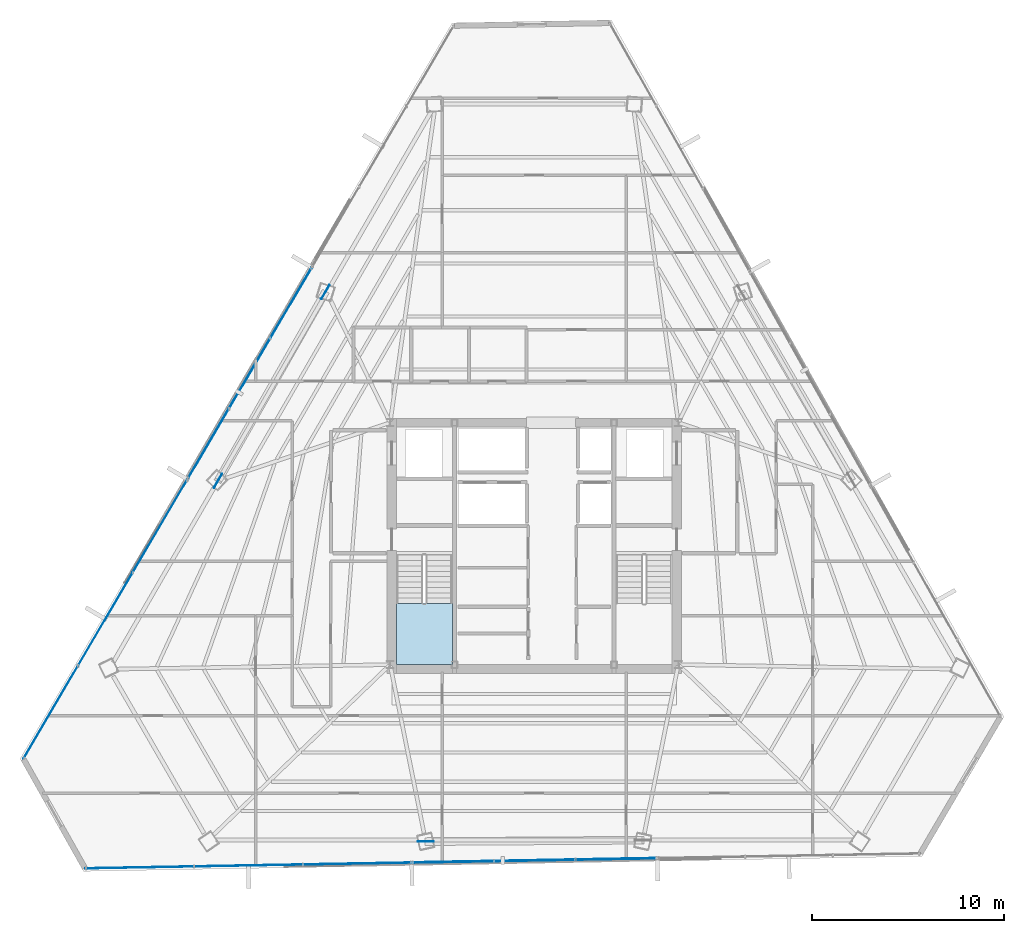
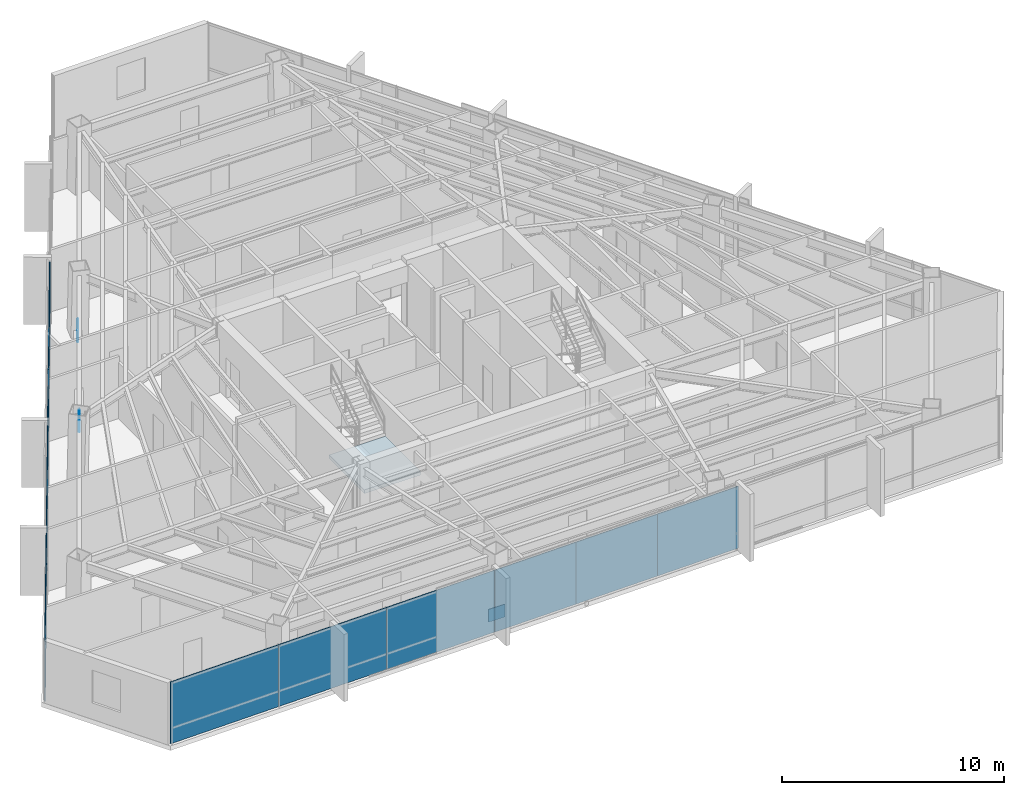
# One storey, part 34 of 44: 15 plates, 1 slab, 5 elements without a shape of their own.
"""IFC4 building model written with IfcOpenShell, lengths in metres."""

from ifc_helpers import new_model, si_unit, direction, frame, origin, origin_2d, place, context, subcontext, project, spatial, polyline, rectangle, outline, extrude, source, transform, mapped, material, layer, layer_set, type_object, type_shapes, element, aggregate, save


model = new_model("IFC4")

# Units and contexts
model_context = context("Model", 3, precision=1e-05, world=origin(), true_north=direction((0.0, 1.0)))
body_context = subcontext(model_context, "Body", "Model", "MODEL_VIEW")
ifc_project = project(units=[si_unit("LENGTHUNIT", "METRE"), si_unit("AREAUNIT", "SQUARE_METRE"), si_unit("VOLUMEUNIT", "CUBIC_METRE"), si_unit("PLANEANGLEUNIT", "RADIAN"), si_unit("MASSUNIT", "GRAM", prefix="KILO")], contexts=[model_context])

# Site, building, storey
site_placement = place(None, origin())
site = spatial("IfcSite", under=ifc_project, at=site_placement, CompositionType="ELEMENT")
building_placement = place(site_placement, origin())
building = spatial("IfcBuilding", under=site, at=building_placement, Name="Caelisora Broadcast Tower", CompositionType="ELEMENT")
storey_placement = place(building_placement, frame((0.0, 0.0, 198.64990234375)))
storey = spatial("IfcBuildingStorey", under=building, at=storey_placement, Name="L52", CompositionType="ELEMENT", Elevation=198.64990234375)

# Stair, slab
ifc_material_1 = material(Name="Concrete 40 MPa (AS 3600 N40)", Category="concrete")
stair_type = type_object("IfcStairType", Name="ST-1", PredefinedType="HALF_TURN_STAIR", material=ifc_material_1)
stair_placement = place(storey_placement, origin())
stair = element("IfcStair", 1, at=stair_placement, inside=storey, type_object=stair_type, Name="L52 West Fire-Isolated Tower Stair", PredefinedType="HALF_TURN_STAIR")
ifc_layer_1 = layer(ifc_material_1, 0.199951171875, Name="Concrete 40 MPa (AS 3600 N40)")
ifc_layer_set_1 = layer_set([ifc_layer_1], Name="Concrete 40 MPa (AS 3600 N40)")
slab_type = type_object("IfcSlabType", Name="STL-1", PredefinedType="LANDING", material=ifc_layer_set_1)
slab_placement = place(storey_placement, frame((0.0, 0.0, 1.625)))
slab = element("IfcSlab", 2, at=slab_placement, type_object=slab_type, Name="ST-1 landing 1", PredefinedType="LANDING", context=body_context, shape_type="SweptSolid", body=[
    extrude(outline(polyline([(30.820068359375, 20.580078125), (30.820068359375, 17.39990234375), (33.739990234375, 17.39990234375), (33.739990234375, 20.580078125), (30.820068359375, 20.580078125)])), origin(), (0.0, 0.0, 1.0), 0.2001953125),
])
aggregate(stair, [slab])

# Plates
ifc_material_2 = material(Name="Steel Grade 350 L15 (AS/NZS 3678)", Category="steel")
ifc_layer_2 = layer(ifc_material_2, 0.0400390625, Name="Steel Grade 350 L15 (AS/NZS 3678)")
ifc_layer_set_2 = layer_set([ifc_layer_2], Name="Steel Grade 350 L15 (AS/NZS 3678)")
plate_type_1 = type_object("IfcPlateType", Name="GP04", PredefinedType="USERDEFINED", material=ifc_layer_set_2)
shared_shape_1 = source(origin(), body_context, "Body", "SweptSolid", [
    extrude(rectangle(XDim=0.85009765625, YDim=0.0400390625, at=origin_2d()), origin(), (0.0, 0.0, 1.0), 0.699951171875),
])
type_shapes(plate_type_1, [shared_shape_1])
for number, where, z_axis, x_axis, name in (
    (3, (27.129150390625, 36.794921875, -0.22998046875), (0.0, 0.0, 1.0), (-0.5, -0.866025403784, 0.0), "L52 gusset plate GP04 (ND-L52-C02B)"),
    (4, (21.5380859375, 26.966552734375, 2.72998046875), (0.0, 0.0, 1.0), (-0.5, -0.866025403784, 0.0), "L52 gusset plate GP04 (ND-L52-C03T)"),
    (5, (32.3544921875, 8.18798828125, -0.22998046875), (0.0, 0.0, 1.0), (1.0, 0.0, 0.0), "L52 gusset plate GP04 (ND-L52-C06B)"),
):
    element("IfcPlate", number, at=place(storey_placement, frame(where, z_axis=z_axis, x_axis=x_axis)), inside=storey, type_object=plate_type_1, Name=name, ObjectType="GUSSET PLATE", PredefinedType="USERDEFINED", context=body_context, shape_type="MappedRepresentation", body=[
        mapped(shared_shape_1, transform((0.0, 0.0, 0.0), scale=1.0)),
    ])

# Curtain wall, plates
ifc_material_3 = material(Name="Unitised Aluminium Insulated Shadow-Box Spandrel Curtain Wall", Category="aluminium")
curtain_wall_type_1 = type_object("IfcCurtainWallType", Name="CW-SP2", PredefinedType="NOTDEFINED", material=ifc_material_3)
curtain_wall_1_placement = place(storey_placement, origin())
curtain_wall_1 = element("IfcCurtainWall", 6, at=curtain_wall_1_placement, inside=storey, type_object=curtain_wall_type_1, Name="L52 curtain wall CW-SP2", PredefinedType="NOTDEFINED")
ifc_material_4 = material(Name="Insulated Terracotta Shadow-Box Spandrel Panel", Category="aluminium")
ifc_layer_3 = layer(ifc_material_4, 0.0439453125, Name="Insulated Terracotta Shadow-Box Spandrel Panel")
ifc_layer_set_3 = layer_set([ifc_layer_3], Name="Insulated Terracotta Shadow-Box Spandrel Panel")
plate_type_2 = type_object("IfcPlateType", Name="CWP-10", PredefinedType="CURTAIN_PANEL", material=ifc_layer_set_3)
shared_shape_2 = source(origin(), body_context, "Body", "SweptSolid", [
    extrude(rectangle(XDim=4.260009765625, YDim=0.0439453125, at=origin_2d()), origin(), (0.0, 0.0, 1.0), 3.39990234375),
])
plate_1_placement = place(storey_placement, frame((21.03076171875, 28.889404296875, 0.000244140625), z_axis=(0.0, 0.0, 1.0), x_axis=(0.506334807353, 0.862336977557, 0.0)))
plate_1 = element("IfcPlate", 7, at=plate_1_placement, type_object=plate_type_2, Name="L52-CW-B10 spandrel panel #1", PredefinedType="CURTAIN_PANEL", context=body_context, shape_type="MappedRepresentation", body=[
    mapped(shared_shape_2, transform((0.0, 0.0, 0.0), scale=1.0)),
])
plate_2_placement = place(storey_placement, frame((23.18798828125, 32.562744140625, 0.000244140625), z_axis=(0.0, 0.0, 1.0), x_axis=(0.506334807353, 0.862336977557, 0.0)))
plate_2 = element("IfcPlate", 8, at=plate_2_placement, type_object=plate_type_2, Name="L52-CW-B10 spandrel panel #2", PredefinedType="CURTAIN_PANEL", context=body_context, shape_type="MappedRepresentation", body=[
    mapped(shared_shape_2, transform((0.0, 0.0, 0.0), scale=1.0)),
])
plate_3_placement = place(storey_placement, frame((25.34521484375, 36.236328125, 0.000244140625), z_axis=(0.0, 0.0, 1.0), x_axis=(0.506334807353, 0.862336977557, 0.0)))
plate_3 = element("IfcPlate", 9, at=plate_3_placement, type_object=plate_type_2, Name="L52-CW-B10 spandrel panel #3", PredefinedType="CURTAIN_PANEL", context=body_context, shape_type="MappedRepresentation", body=[
    mapped(shared_shape_2, transform((0.0, 0.0, 0.0), scale=1.0)),
])
aggregate(curtain_wall_1, [plate_1, plate_2, plate_3])

curtain_wall_2_placement = place(storey_placement, origin())
curtain_wall_2 = element("IfcCurtainWall", 10, at=curtain_wall_2_placement, inside=storey, type_object=curtain_wall_type_1, Name="L52 curtain wall CW-SP2", PredefinedType="NOTDEFINED")
shared_shape_3 = source(origin(), body_context, "Body", "SweptSolid", [
    extrude(rectangle(XDim=4.259765625, YDim=0.0439453125, at=origin_2d()), origin(), (0.0, 0.0, 1.0), 3.39990234375),
])
type_shapes(plate_type_2, [shared_shape_2, shared_shape_3])
plate_4_placement = place(storey_placement, frame((42.276611328125, 7.2822265625, 0.000244140625), z_axis=(0.0, 0.0, 1.0), x_axis=(-0.999841542203, -0.017801418053, 0.0)))
plate_4 = element("IfcPlate", 11, at=plate_4_placement, type_object=plate_type_2, Name="L52-CW-B06 spandrel panel #1", PredefinedType="CURTAIN_PANEL", context=body_context, shape_type="MappedRepresentation", body=[
    mapped(shared_shape_3, transform((0.0, 0.0, 0.0), scale=1.0)),
])
plate_5_placement = place(storey_placement, frame((38.017578125, 7.20654296875, 0.000244140625), z_axis=(0.0, 0.0, 1.0), x_axis=(-0.999841542203, -0.017801418053, 0.0)))
plate_5 = element("IfcPlate", 12, at=plate_5_placement, type_object=plate_type_2, Name="L52-CW-B06 spandrel panel #2", PredefinedType="CURTAIN_PANEL", context=body_context, shape_type="MappedRepresentation", body=[
    mapped(shared_shape_3, transform((0.0, 0.0, 0.0), scale=1.0)),
])
plate_6_placement = place(storey_placement, frame((33.758544921875, 7.130615234375, 0.000244140625), z_axis=(0.0, 0.0, 1.0), x_axis=(-0.999841542203, -0.017801418053, 0.0)))
plate_6 = element("IfcPlate", 13, at=plate_6_placement, type_object=plate_type_2, Name="L52-CW-B06 spandrel panel #3", PredefinedType="CURTAIN_PANEL", context=body_context, shape_type="MappedRepresentation", body=[
    mapped(shared_shape_3, transform((0.0, 0.0, 0.0), scale=1.0)),
])
aggregate(curtain_wall_2, [plate_4, plate_5, plate_6])

ifc_material_5 = material(Name="Unitised Aluminium and Low-E Glass Curtain Wall", Category="glass")
curtain_wall_type_2 = type_object("IfcCurtainWallType", Name="CW-Z4", PredefinedType="NOTDEFINED", material=ifc_material_5)
curtain_wall_3_placement = place(storey_placement, origin())
curtain_wall_3 = element("IfcCurtainWall", 14, at=curtain_wall_3_placement, inside=storey, type_object=curtain_wall_type_2, Name="L52 curtain wall CW-Z4", PredefinedType="NOTDEFINED")
ifc_material_6 = material(Name="Double Glazed Low-E Argon IGU", Category="glass")
ifc_layer_4 = layer(ifc_material_6, 0.030029296875, Name="Double Glazed Low-E Argon IGU")
ifc_layer_set_4 = layer_set([ifc_layer_4], Name="Double Glazed Low-E Argon IGU")
plate_type_3 = type_object("IfcPlateType", Name="CWP-05", PredefinedType="CURTAIN_PANEL", material=ifc_layer_set_4)
shared_shape_4 = source(origin(), body_context, "Body", "SweptSolid", [
    extrude(rectangle(XDim=5.667236328125, YDim=0.030029296875, at=origin_2d()), origin(), (0.0, 0.0, 1.0), 3.39990234375),
])
plate_7_placement = place(storey_placement, frame((28.785888671875, 7.042236328125, 0.000244140625), z_axis=(0.0, 0.0, 1.0), x_axis=(-0.999841542203, -0.017801418053, 0.0)))
plate_7 = element("IfcPlate", 15, at=plate_7_placement, type_object=plate_type_3, Name="L52-CW-B07 glazed panel #1", PredefinedType="CURTAIN_PANEL", context=body_context, shape_type="MappedRepresentation", body=[
    mapped(shared_shape_4, transform((0.0, 0.0, 0.0), scale=1.0)),
])
plate_8_placement = place(storey_placement, frame((23.119384765625, 6.94140625, 0.000244140625), z_axis=(0.0, 0.0, 1.0), x_axis=(-0.999841542203, -0.017801418053, 0.0)))
plate_8 = element("IfcPlate", 16, at=plate_8_placement, type_object=plate_type_3, Name="L52-CW-B07 glazed panel #2", PredefinedType="CURTAIN_PANEL", context=body_context, shape_type="MappedRepresentation", body=[
    mapped(shared_shape_4, transform((0.0, 0.0, 0.0), scale=1.0)),
])
plate_9_placement = place(storey_placement, frame((17.453125, 6.84033203125, 0.000244140625), z_axis=(0.0, 0.0, 1.0), x_axis=(-0.999841542203, -0.017801418053, 0.0)))
plate_9 = element("IfcPlate", 17, at=plate_9_placement, type_object=plate_type_3, Name="L52-CW-B07 glazed panel #3", PredefinedType="CURTAIN_PANEL", context=body_context, shape_type="MappedRepresentation", body=[
    mapped(shared_shape_4, transform((0.0, 0.0, 0.0), scale=1.0)),
])
aggregate(curtain_wall_3, [plate_7, plate_8, plate_9])

curtain_wall_4_placement = place(storey_placement, origin())
curtain_wall_4 = element("IfcCurtainWall", 18, at=curtain_wall_4_placement, inside=storey, type_object=curtain_wall_type_2, Name="L52 curtain wall CW-Z4", PredefinedType="NOTDEFINED")
shared_shape_5 = source(origin(), body_context, "Body", "SweptSolid", [
    extrude(rectangle(XDim=5.62353515625, YDim=0.030029296875, at=origin_2d()), origin(), (0.0, 0.0, 1.0), 3.39990234375),
])
type_shapes(plate_type_3, [shared_shape_4, shared_shape_5])
plate_10_placement = place(storey_placement, frame((12.827880859375, 14.920654296875, 0.000244140625), z_axis=(0.0, 0.0, 1.0), x_axis=(0.506334807353, 0.862336977557, 0.0)))
plate_10 = element("IfcPlate", 19, at=plate_10_placement, type_object=plate_type_3, Name="L52-CW-B09 glazed panel #1", PredefinedType="CURTAIN_PANEL", context=body_context, shape_type="MappedRepresentation", body=[
    mapped(shared_shape_5, transform((0.0, 0.0, 0.0), scale=1.0)),
])
plate_11_placement = place(storey_placement, frame((15.675537109375, 19.77001953125, 0.000244140625), z_axis=(0.0, 0.0, 1.0), x_axis=(0.506334807353, 0.862336977557, 0.0)))
plate_11 = element("IfcPlate", 20, at=plate_11_placement, type_object=plate_type_3, Name="L52-CW-B09 glazed panel #2", PredefinedType="CURTAIN_PANEL", context=body_context, shape_type="MappedRepresentation", body=[
    mapped(shared_shape_5, transform((0.0, 0.0, 0.0), scale=1.0)),
])
plate_12_placement = place(storey_placement, frame((18.523193359375, 24.619140625, 0.000244140625), z_axis=(0.0, 0.0, 1.0), x_axis=(0.506334807353, 0.862336977557, 0.0)))
plate_12 = element("IfcPlate", 21, at=plate_12_placement, type_object=plate_type_3, Name="L52-CW-B09 glazed panel #3", PredefinedType="CURTAIN_PANEL", context=body_context, shape_type="MappedRepresentation", body=[
    mapped(shared_shape_5, transform((0.0, 0.0, 0.0), scale=1.0)),
])
aggregate(curtain_wall_4, [plate_10, plate_11, plate_12])

save(model, "model.ifc")
